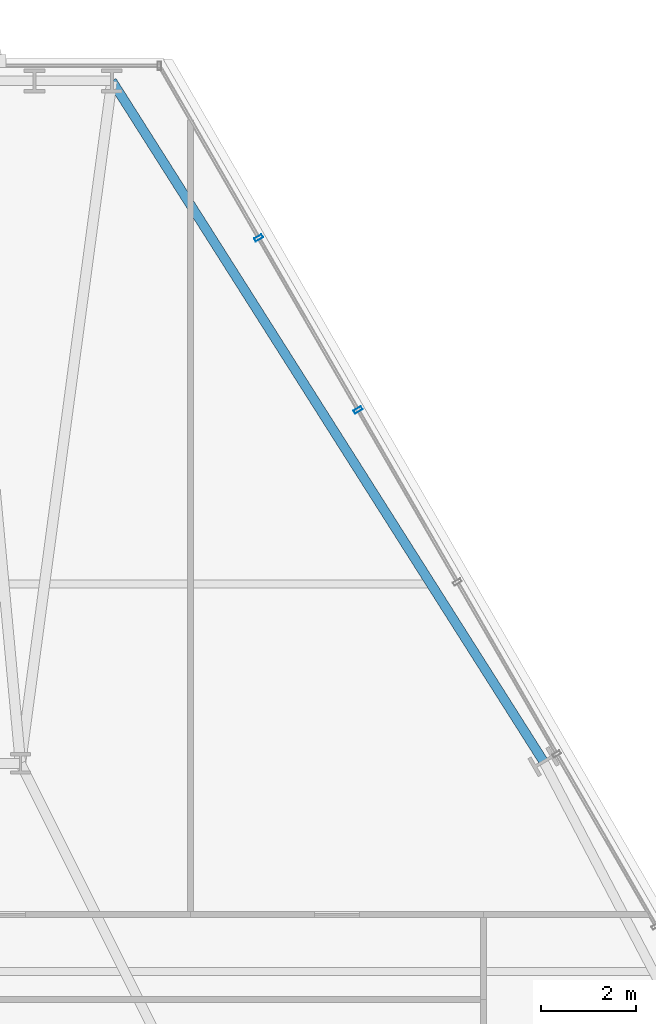
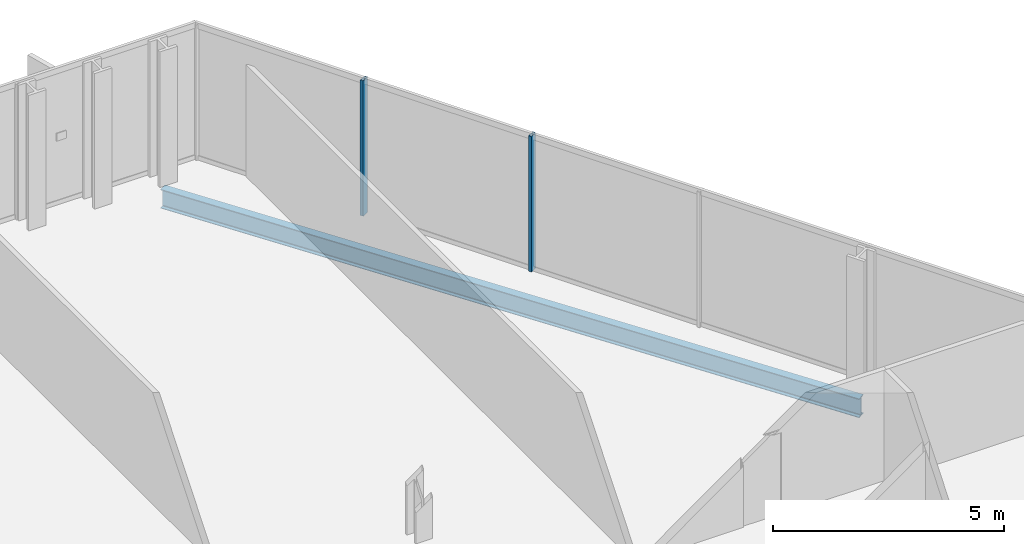
# One storey, part 23 of 31: 2 members, 1 beam, 1 element without a shape of its own.
"""IFC4 building model written with IfcOpenShell, lengths in metres."""

from ifc_helpers import new_model, si_unit, direction, frame, origin, origin_2d, place, context, subcontext, project, spatial, hollow_rectangle, i_section, extrude, material, layer, layer_set, material_profile, profile_set, type_object, element, aggregate, save


model = new_model("IFC4")

# Units and contexts
model_context = context("Model", 3, precision=1e-05, world=origin(), true_north=direction((0.0, 1.0)))
body_context = subcontext(model_context, "Body", "Model", "MODEL_VIEW")
ifc_project = project(units=[si_unit("LENGTHUNIT", "METRE"), si_unit("AREAUNIT", "SQUARE_METRE"), si_unit("VOLUMEUNIT", "CUBIC_METRE"), si_unit("PLANEANGLEUNIT", "RADIAN"), si_unit("MASSUNIT", "GRAM", prefix="KILO")], contexts=[model_context])

# Site, building, storey
site_placement = place(None, origin())
site = spatial("IfcSite", under=ifc_project, at=site_placement, CompositionType="ELEMENT")
building_placement = place(site_placement, origin())
building = spatial("IfcBuilding", under=site, at=building_placement, Name="Ndaravel Arena Tower", CompositionType="ELEMENT")
storey_placement = place(building_placement, frame((0.0, 0.0, 100.60009765625)))
storey = spatial("IfcBuildingStorey", under=building, at=storey_placement, Name="L23", CompositionType="ELEMENT", Elevation=100.60009765625)

# Beam
ifc_material_1 = material(Name="Steel S355", Category="steel")
ifc_material_profile_1 = material_profile(ifc_material_1, i_section(OverallWidth=0.199951171875, OverallDepth=0.5, WebThickness=0.01025390625, FlangeThickness=0.01611328125, FilletRadius=0.02099609375, at=origin_2d()), Name="IPE 500")
ifc_profile_set_1 = profile_set([ifc_material_profile_1], Name="Steel S355")
beam_type = type_object("IfcBeamType", Name="BM-SPAN-IPE500", PredefinedType="SPANDREL", material=ifc_profile_set_1)
beam_placement = place(storey_placement, frame((56.87109375, 31.23779296875, -0.47021484375), z_axis=(-0.535583851753, 0.844482052942, 0.0), x_axis=(-0.844482052942, -0.535583851753, 0.0)))
element("IfcBeam", 1, at=beam_placement, inside=storey, type_object=beam_type, Name="L23 Perimeter Spandrel Beam SP-10", PredefinedType="SPANDREL", context=body_context, shape_type="SweptSolid", body=[
    extrude(i_section(OverallWidth=0.199951171875, OverallDepth=0.5, WebThickness=0.01025390625, FlangeThickness=0.01611328125, FilletRadius=0.02099609375, at=origin_2d()), origin(), (0.0, 0.0, 1.0), 17.0576171875),
])

# Curtain wall, members
ifc_material_2 = material(Name="Aluminium", Category="aluminium")
ifc_layer = layer(ifc_material_2, 0.179931640625)
ifc_layer_set = layer_set([ifc_layer], Name="Aluminium")
curtain_wall_type = type_object("IfcCurtainWallType", Name="CW-SYS-03", PredefinedType="NOTDEFINED", material=ifc_layer_set)
curtain_wall_placement = place(storey_placement, origin())
curtain_wall = element("IfcCurtainWall", 2, at=curtain_wall_placement, inside=storey, type_object=curtain_wall_type, Name="L23 Faceted Crystal Curtain Wall CW-L23-E03", PredefinedType="NOTDEFINED")
ifc_material_3 = material(Name="Aluminium", Category="aluminium")
ifc_material_profile_2 = material_profile(ifc_material_3, hollow_rectangle(XDim=0.074951171875, YDim=0.179931640625, WallThickness=0.00390625, at=origin_2d()), Name="CW MULLION 75x180x4")
ifc_profile_set_2 = profile_set([ifc_material_profile_2], Name="Aluminium")
member_type = type_object("IfcMemberType", Name="MEM-CW-MUL180", PredefinedType="MULLION", material=ifc_profile_set_2)
member_1_placement = place(storey_placement, frame((52.94384765625, 38.68017578125, 0.0), z_axis=(0.0, 0.0, 1.0), x_axis=(-0.5, 0.866025403784, 0.0)))
member_1 = element("IfcMember", 3, at=member_1_placement, type_object=member_type, Name="CW-L23-E03 Mullion 06", PredefinedType="MULLION", context=body_context, shape_type="SweptSolid", body=[
    extrude(hollow_rectangle(XDim=0.074951171875, YDim=0.179931640625, WallThickness=0.00390625, at=origin_2d()), origin(), (0.0, 0.0, 1.0), 3.579833984375),
])
member_2_placement = place(storey_placement, frame((50.841552734375, 42.3212890625, 0.0), z_axis=(0.0, 0.0, 1.0), x_axis=(-0.5, 0.866025403784, 0.0)))
member_2 = element("IfcMember", 4, at=member_2_placement, type_object=member_type, Name="CW-L23-E03 Mullion 07", PredefinedType="MULLION", context=body_context, shape_type="SweptSolid", body=[
    extrude(hollow_rectangle(XDim=0.074951171875, YDim=0.179931640625, WallThickness=0.00390625, at=origin_2d()), origin(), (0.0, 0.0, 1.0), 3.579833984375),
])
aggregate(curtain_wall, [member_1, member_2])

save(model, "model.ifc")
